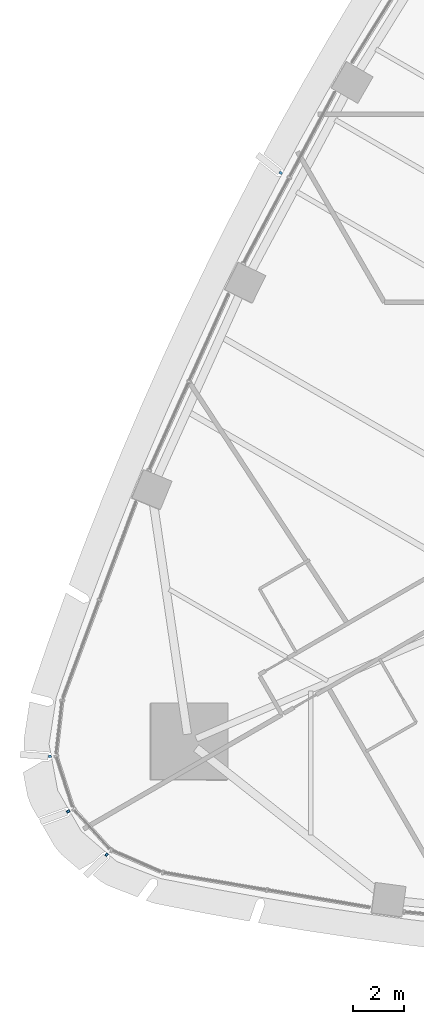
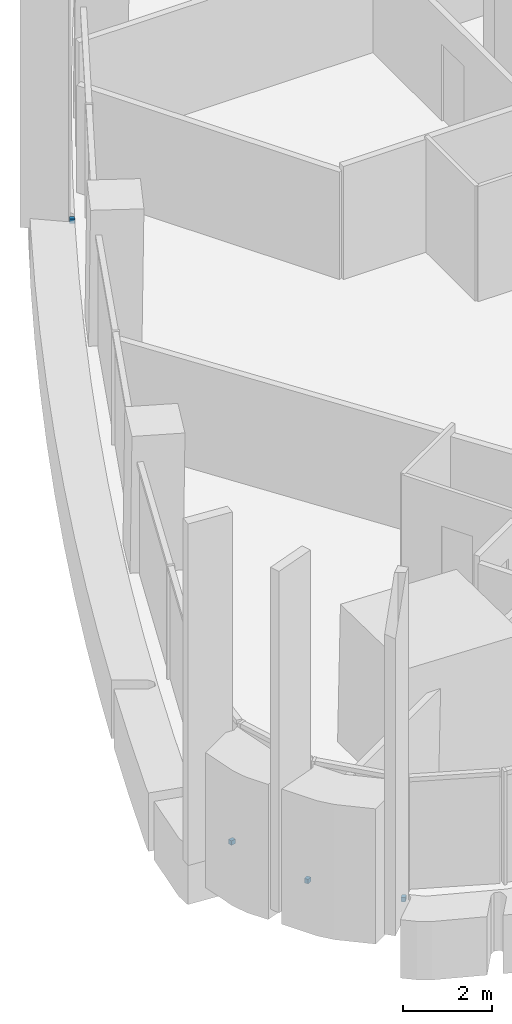
# One storey, part 16 of 22: 4 discrete accessories.
"""IFC4 building model written with IfcOpenShell, lengths in metres."""

from ifc_helpers import new_model, si_unit, direction, frame, origin, origin_2d, place, context, subcontext, project, spatial, rectangle, extrude, material, type_object, element, save


model = new_model("IFC4")

# Units and contexts
model_context = context("Model", 3, precision=1e-05, world=origin(), true_north=direction((0.0, 1.0)))
body_context = subcontext(model_context, "Body", "Model", "MODEL_VIEW")
ifc_project = project(units=[si_unit("LENGTHUNIT", "METRE"), si_unit("AREAUNIT", "SQUARE_METRE"), si_unit("VOLUMEUNIT", "CUBIC_METRE"), si_unit("PLANEANGLEUNIT", "RADIAN"), si_unit("MASSUNIT", "GRAM", prefix="KILO")], contexts=[model_context])

# Site, building, storey
site_placement = place(None, origin())
site = spatial("IfcSite", under=ifc_project, at=site_placement, CompositionType="ELEMENT")
building_placement = place(site_placement, origin())
building = spatial("IfcBuilding", under=site, at=building_placement, Name="Sierra Prisma Convention Tower", CompositionType="ELEMENT")
storey_placement = place(building_placement, frame((0.0, 0.0, 103.5)))
storey = spatial("IfcBuildingStorey", under=building, at=storey_placement, Name="L22", CompositionType="ELEMENT", Elevation=103.5)

# Discrete accessories
ifc_material = material(Name="Stainless steel 316", Category="steel")
discrete_accessory_type = type_object("IfcDiscreteAccessoryType", Name="Fin bracket", PredefinedType="BRACKET", material=ifc_material)
for number, where, z_axis, x_axis, name in (
    (1, (-21.93408203125, 7.51220703125, -0.135009765625), (0.0, 0.0, 1.0), (-0.880452175924, 0.474134965923, 0.0), "Fin bracket L22.25 base"),
    (2, (-30.973876953125, -15.31494140625, -0.135009765625), (0.0, 0.0, 1.0), (-0.982993780511, -0.183638850671, 0.0), "Fin bracket L22.33 base"),
    (3, (-30.2568359375, -17.46875, -0.135009765625), (0.0, 0.0, 1.0), (-0.866025403784, -0.5, 0.0), "Fin bracket L22.34 base"),
    (4, (-28.75, -19.166748046875, -0.135009765625), (0.0, 0.0, 1.0), (-0.650532800059, -0.759478160349, 0.0), "Fin bracket L22.35 base"),
):
    element("IfcDiscreteAccessory", number, at=place(storey_placement, frame(where, z_axis=z_axis, x_axis=x_axis)), inside=storey, type_object=discrete_accessory_type, Name=name, PredefinedType="BRACKET", context=body_context, shape_type="SweptSolid", body=[
        extrude(rectangle(XDim=0.1201171875, YDim=0.10009765625, at=origin_2d()), origin(), (0.0, 0.0, 1.0), 0.1201171875),
    ])

save(model, "model.ifc")
